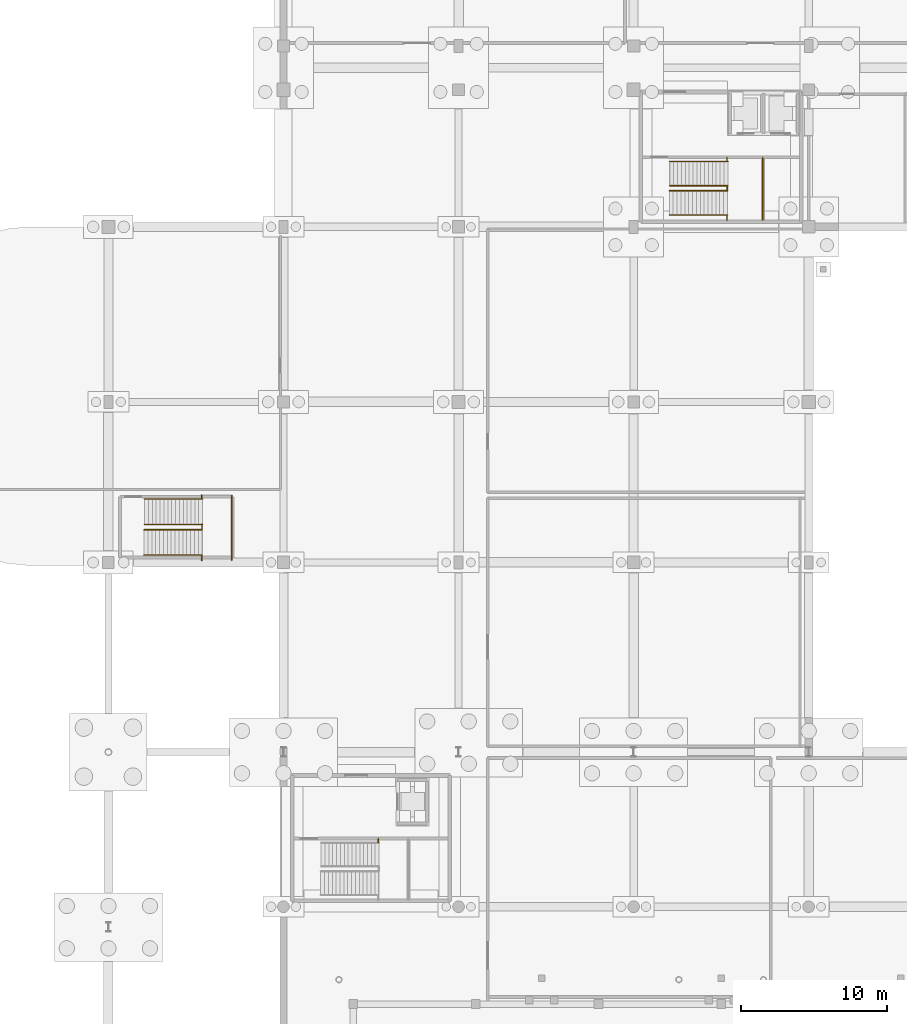
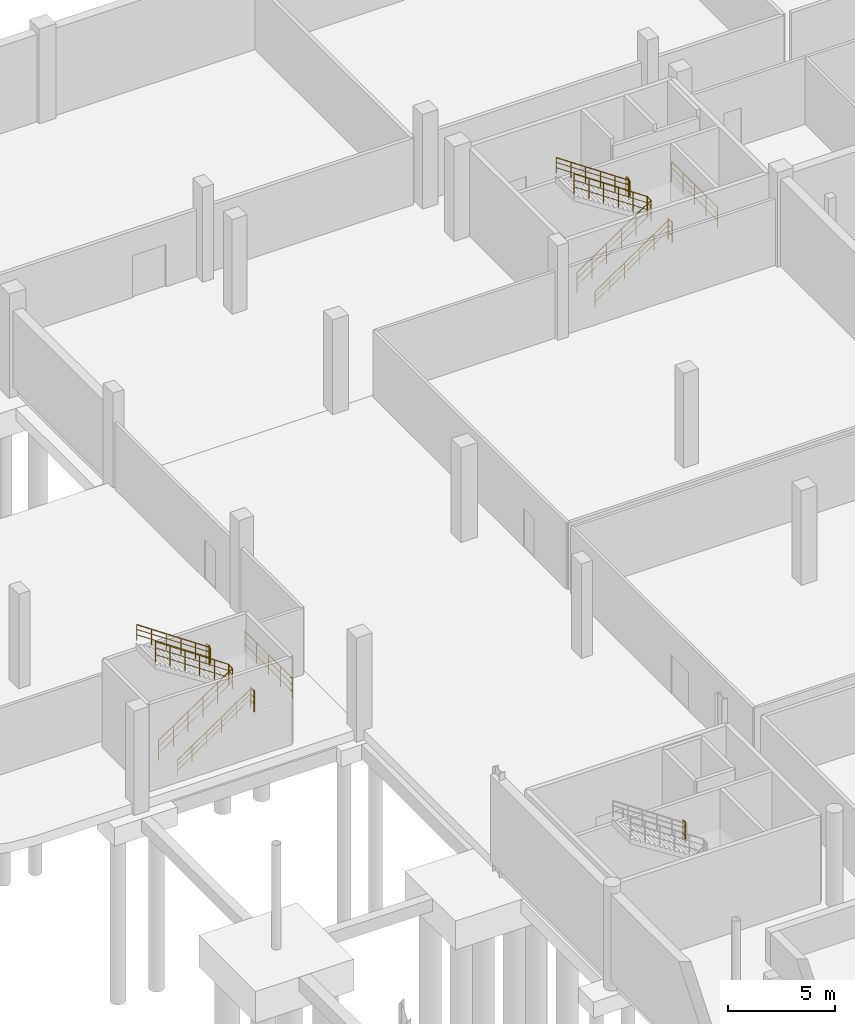
# One storey, part 38 of 42: 17 railings.
"""IFC4 building model written with IfcOpenShell, lengths in metres."""

from ifc_helpers import new_model, si_unit, direction, frame, origin, origin_2d, place, context, subcontext, project, spatial, circle, extrude, material, layer, layer_set, type_object, element, save


model = new_model("IFC4")

# Units and contexts
model_context = context("Model", 3, precision=1e-05, world=origin(), true_north=direction((0.0, 1.0)))
body_context = subcontext(model_context, "Body", "Model", "MODEL_VIEW")
ifc_project = project(units=[si_unit("LENGTHUNIT", "METRE"), si_unit("AREAUNIT", "SQUARE_METRE"), si_unit("VOLUMEUNIT", "CUBIC_METRE"), si_unit("PLANEANGLEUNIT", "RADIAN"), si_unit("MASSUNIT", "GRAM", prefix="KILO"), si_unit("THERMODYNAMICTEMPERATUREUNIT", "KELVIN"), si_unit("POWERUNIT", "WATT")], contexts=[model_context])

# Site, building, storey
site_placement = place(None, origin())
site = spatial("IfcSite", under=ifc_project, at=site_placement, CompositionType="ELEMENT")
building_placement = place(site_placement, origin())
building = spatial("IfcBuilding", under=site, at=building_placement, Name="Solmara Park Aquatics Centre", CompositionType="ELEMENT")
storey_placement = place(building_placement, frame((0.0, 0.0, -5.39990234375)))
storey = spatial("IfcBuildingStorey", under=building, at=storey_placement, Name="B1", CompositionType="ELEMENT", Elevation=-5.39990234375)

# Railings
ifc_material_1 = material(Name="Brushed Marine-Grade Stainless Steel 316L Handrail", Category="steel")
ifc_layer_1 = layer(ifc_material_1, 0.044921875, Name="Brushed Marine-Grade Stainless Steel 316L Handrail")
ifc_layer_set_1 = layer_set([ifc_layer_1], Name="Brushed Marine-Grade Stainless Steel 316L Handrail")
railing_type_1 = type_object("IfcRailingType", Name="ARC-RL-HND090", PredefinedType="HANDRAIL", material=ifc_layer_set_1)
railing_1_placement = place(storey_placement, frame((51.050048828125, 109.409912109375, 0.168701171875)))
element("IfcRailing", 1, at=railing_1_placement, inside=storey, type_object=railing_type_1, Name="ST-01 Protected Exit Stair (B1 to L00) Flight 1 Outer Handrail", PredefinedType="HANDRAIL", context=body_context, shape_type="SweptSolid", body=[
    extrude(circle(Radius=0.02392578125, at=origin_2d()), frame((0.0, 0.0, 0.89599609375), z_axis=(0.827211789872, 0.0, 0.56189025147), x_axis=(0.0, 1.0, 0.0)), (0.0, 0.0, 1.0), 4.80517578125),
    extrude(circle(Radius=0.01416015625, at=origin_2d()), frame((0.0, 0.0, 0.322021484375), z_axis=(0.827211789872, 0.0, 0.56189025147), x_axis=(0.0, 1.0, 0.0)), (0.0, 0.0, 1.0), 4.80517578125),
    extrude(circle(Radius=0.01416015625, at=origin_2d()), frame((0.0, 0.0, 0.62548828125), z_axis=(0.827211789872, 0.0, 0.56189025147), x_axis=(0.0, 1.0, 0.0)), (0.0, 0.0, 1.0), 4.80517578125),
    extrude(circle(Radius=0.02099609375, at=origin_2d()), origin(), (0.0, 0.0, 1.0), 0.871826171875),
    extrude(circle(Radius=0.02099609375, at=origin_2d()), frame((0.794921875, 0.0, 0.5400390625)), (0.0, 0.0, 1.0), 0.871826171875),
    extrude(circle(Radius=0.02099609375, at=origin_2d()), frame((1.58984375, 0.0, 1.080078125)), (0.0, 0.0, 1.0), 0.871826171875),
    extrude(circle(Radius=0.02099609375, at=origin_2d()), frame((2.385009765625, 0.0, 1.619873046875)), (0.0, 0.0, 1.0), 0.871826171875),
    extrude(circle(Radius=0.02099609375, at=origin_2d()), frame((3.179931640625, 0.0, 2.159912109375)), (0.0, 0.0, 1.0), 0.871826171875),
    extrude(circle(Radius=0.02099609375, at=origin_2d()), frame((3.974853515625, 0.0, 2.699951171875)), (0.0, 0.0, 1.0), 0.871826171875),
])
railing_2_placement = place(storey_placement, frame((55.054931640625, 113.090087890625, 2.86865234375)))
element("IfcRailing", 2, at=railing_2_placement, inside=storey, type_object=railing_type_1, Name="ST-01 Protected Exit Stair (B1 to L00) Flight 2 Outer Handrail", PredefinedType="HANDRAIL", context=body_context, shape_type="SweptSolid", body=[
    extrude(circle(Radius=0.02392578125, at=origin_2d()), frame((0.0, 0.0, 0.89599609375), z_axis=(-0.827211789872, 0.0, 0.56189025147), x_axis=(0.0, -1.0, 0.0)), (0.0, 0.0, 1.0), 4.80517578125),
    extrude(circle(Radius=0.01416015625, at=origin_2d()), frame((0.0, 0.0, 0.322021484375), z_axis=(-0.827211789872, 0.0, 0.56189025147), x_axis=(0.0, -1.0, 0.0)), (0.0, 0.0, 1.0), 4.80517578125),
    extrude(circle(Radius=0.01416015625, at=origin_2d()), frame((0.0, 0.0, 0.62548828125), z_axis=(-0.827211789872, 0.0, 0.56189025147), x_axis=(0.0, -1.0, 0.0)), (0.0, 0.0, 1.0), 4.80517578125),
    extrude(circle(Radius=0.02099609375, at=origin_2d()), origin(), (0.0, 0.0, 1.0), 0.871826171875),
    extrude(circle(Radius=0.02099609375, at=origin_2d()), frame((-0.794921875, 0.0, 0.5400390625)), (0.0, 0.0, 1.0), 0.871826171875),
    extrude(circle(Radius=0.02099609375, at=origin_2d()), frame((-1.58984375, 0.0, 1.080078125)), (0.0, 0.0, 1.0), 0.871826171875),
    extrude(circle(Radius=0.02099609375, at=origin_2d()), frame((-2.385009765625, 0.0, 1.619873046875)), (0.0, 0.0, 1.0), 0.871826171875),
    extrude(circle(Radius=0.02099609375, at=origin_2d()), frame((-3.179931640625, 0.0, 2.159912109375)), (0.0, 0.0, 1.0), 0.871826171875),
    extrude(circle(Radius=0.02099609375, at=origin_2d()), frame((-3.974853515625, 0.0, 2.699951171875)), (0.0, 0.0, 1.0), 0.871826171875),
])
railing_3_placement = place(storey_placement, frame((15.050048828125, 86.10009765625, 0.168701171875)))
element("IfcRailing", 3, at=railing_3_placement, inside=storey, type_object=railing_type_1, Name="West Changing Escape Stair ST-08 (B1-L00) Flight 1 Outer Handrail", PredefinedType="HANDRAIL", context=body_context, shape_type="SweptSolid", body=[
    extrude(circle(Radius=0.02392578125, at=origin_2d()), frame((0.0, 0.0, 0.89599609375), z_axis=(0.827211789872, 0.0, 0.56189025147), x_axis=(0.0, 1.0, 0.0)), (0.0, 0.0, 1.0), 4.80517578125),
    extrude(circle(Radius=0.01416015625, at=origin_2d()), frame((0.0, 0.0, 0.322021484375), z_axis=(0.827211789872, 0.0, 0.56189025147), x_axis=(0.0, 1.0, 0.0)), (0.0, 0.0, 1.0), 4.80517578125),
    extrude(circle(Radius=0.01416015625, at=origin_2d()), frame((0.0, 0.0, 0.62548828125), z_axis=(0.827211789872, 0.0, 0.56189025147), x_axis=(0.0, 1.0, 0.0)), (0.0, 0.0, 1.0), 4.80517578125),
    extrude(circle(Radius=0.02099609375, at=origin_2d()), origin(), (0.0, 0.0, 1.0), 0.871826171875),
    extrude(circle(Radius=0.02099609375, at=origin_2d()), frame((0.794921875, 0.0, 0.5400390625)), (0.0, 0.0, 1.0), 0.871826171875),
    extrude(circle(Radius=0.02099609375, at=origin_2d()), frame((1.58984375, 0.0, 1.080078125)), (0.0, 0.0, 1.0), 0.871826171875),
    extrude(circle(Radius=0.02099609375, at=origin_2d()), frame((2.385009765625, 0.0, 1.619873046875)), (0.0, 0.0, 1.0), 0.871826171875),
    extrude(circle(Radius=0.02099609375, at=origin_2d()), frame((3.179931640625, 0.0, 2.159912109375)), (0.0, 0.0, 1.0), 0.871826171875),
    extrude(circle(Radius=0.02099609375, at=origin_2d()), frame((3.974853515625, 0.0, 2.699951171875)), (0.0, 0.0, 1.0), 0.871826171875),
])
railing_4_placement = place(storey_placement, frame((19.054931640625, 89.93994140625, 2.86865234375)))
element("IfcRailing", 4, at=railing_4_placement, inside=storey, type_object=railing_type_1, Name="West Changing Escape Stair ST-08 (B1-L00) Flight 2 Outer Handrail", PredefinedType="HANDRAIL", context=body_context, shape_type="SweptSolid", body=[
    extrude(circle(Radius=0.02392578125, at=origin_2d()), frame((0.0, 0.0, 0.89599609375), z_axis=(-0.827211789872, 0.0, 0.56189025147), x_axis=(0.0, -1.0, 0.0)), (0.0, 0.0, 1.0), 4.80517578125),
    extrude(circle(Radius=0.01416015625, at=origin_2d()), frame((0.0, 0.0, 0.322021484375), z_axis=(-0.827211789872, 0.0, 0.56189025147), x_axis=(0.0, -1.0, 0.0)), (0.0, 0.0, 1.0), 4.80517578125),
    extrude(circle(Radius=0.01416015625, at=origin_2d()), frame((0.0, 0.0, 0.62548828125), z_axis=(-0.827211789872, 0.0, 0.56189025147), x_axis=(0.0, -1.0, 0.0)), (0.0, 0.0, 1.0), 4.80517578125),
    extrude(circle(Radius=0.02099609375, at=origin_2d()), origin(), (0.0, 0.0, 1.0), 0.871826171875),
    extrude(circle(Radius=0.02099609375, at=origin_2d()), frame((-0.794921875, 0.0, 0.5400390625)), (0.0, 0.0, 1.0), 0.871826171875),
    extrude(circle(Radius=0.02099609375, at=origin_2d()), frame((-1.58984375, 0.0, 1.080078125)), (0.0, 0.0, 1.0), 0.871826171875),
    extrude(circle(Radius=0.02099609375, at=origin_2d()), frame((-2.385009765625, 0.0, 1.619873046875)), (0.0, 0.0, 1.0), 0.871826171875),
    extrude(circle(Radius=0.02099609375, at=origin_2d()), frame((-3.179931640625, 0.0, 2.159912109375)), (0.0, 0.0, 1.0), 0.871826171875),
    extrude(circle(Radius=0.02099609375, at=origin_2d()), frame((-3.974853515625, 0.0, 2.699951171875)), (0.0, 0.0, 1.0), 0.871826171875),
])
ifc_material_2 = material(Name="Brushed Stainless Steel Guardrail", Category="steel")
ifc_layer_2 = layer(ifc_material_2, 0.050048828125, Name="Brushed Stainless Steel Guardrail")
ifc_layer_set_2 = layer_set([ifc_layer_2], Name="Brushed Stainless Steel Guardrail")
railing_type_2 = type_object("IfcRailingType", Name="ARC-RL-STR110", PredefinedType="GUARDRAIL", material=ifc_layer_set_2)
railing_5_placement = place(storey_placement, frame((51.050048828125, 111.080078125, 0.0)))
element("IfcRailing", 5, at=railing_5_placement, inside=storey, type_object=railing_type_2, Name="ST-01 Protected Exit Stair (B1 to L00) Flight 1 Inner Guardrail", PredefinedType="GUARDRAIL", context=body_context, shape_type="SweptSolid", body=[
    extrude(circle(Radius=0.02392578125, at=origin_2d()), frame((0.0, 0.0, 1.15576171875), z_axis=(0.827211789872, 0.0, 0.56189025147), x_axis=(0.0, 1.0, 0.0)), (0.0, 0.0, 1.0), 4.80517578125),
    extrude(circle(Radius=0.01416015625, at=origin_2d()), frame((0.0, 0.0, 0.4130859375), z_axis=(0.827211789872, 0.0, 0.56189025147), x_axis=(0.0, 1.0, 0.0)), (0.0, 0.0, 1.0), 4.80517578125),
    extrude(circle(Radius=0.01416015625, at=origin_2d()), frame((0.0, 0.0, 0.80224609375), z_axis=(0.827211789872, 0.0, 0.56189025147), x_axis=(0.0, 1.0, 0.0)), (0.0, 0.0, 1.0), 4.80517578125),
    extrude(circle(Radius=0.02099609375, at=origin_2d()), origin(), (0.0, 0.0, 1.0), 1.1318359375),
    extrude(circle(Radius=0.02099609375, at=origin_2d()), frame((0.794921875, 0.0, 0.5400390625)), (0.0, 0.0, 1.0), 1.1318359375),
    extrude(circle(Radius=0.02099609375, at=origin_2d()), frame((1.58984375, 0.0, 1.080078125)), (0.0, 0.0, 1.0), 1.1318359375),
    extrude(circle(Radius=0.02099609375, at=origin_2d()), frame((2.385009765625, 0.0, 1.619873046875)), (0.0, 0.0, 1.0), 1.1318359375),
    extrude(circle(Radius=0.02099609375, at=origin_2d()), frame((3.179931640625, 0.0, 2.159912109375)), (0.0, 0.0, 1.0), 1.1318359375),
    extrude(circle(Radius=0.02099609375, at=origin_2d()), frame((3.974853515625, 0.0, 2.699951171875)), (0.0, 0.0, 1.0), 1.1318359375),
])
railing_6_placement = place(storey_placement, frame((55.054931640625, 111.419921875, 2.699951171875)))
element("IfcRailing", 6, at=railing_6_placement, inside=storey, type_object=railing_type_2, Name="ST-01 Protected Exit Stair (B1 to L00) Flight 2 Inner Guardrail", PredefinedType="GUARDRAIL", context=body_context, shape_type="SweptSolid", body=[
    extrude(circle(Radius=0.02392578125, at=origin_2d()), frame((0.0, 0.0, 1.15576171875), z_axis=(-0.827211789872, 0.0, 0.56189025147), x_axis=(0.0, -1.0, 0.0)), (0.0, 0.0, 1.0), 4.80517578125),
    extrude(circle(Radius=0.01416015625, at=origin_2d()), frame((0.0, 0.0, 0.4130859375), z_axis=(-0.827211789872, 0.0, 0.56189025147), x_axis=(0.0, -1.0, 0.0)), (0.0, 0.0, 1.0), 4.80517578125),
    extrude(circle(Radius=0.01416015625, at=origin_2d()), frame((0.0, 0.0, 0.80224609375), z_axis=(-0.827211789872, 0.0, 0.56189025147), x_axis=(0.0, -1.0, 0.0)), (0.0, 0.0, 1.0), 4.80517578125),
    extrude(circle(Radius=0.02099609375, at=origin_2d()), origin(), (0.0, 0.0, 1.0), 1.1318359375),
    extrude(circle(Radius=0.02099609375, at=origin_2d()), frame((-0.794921875, 0.0, 0.5400390625)), (0.0, 0.0, 1.0), 1.1318359375),
    extrude(circle(Radius=0.02099609375, at=origin_2d()), frame((-1.58984375, 0.0, 1.080078125)), (0.0, 0.0, 1.0), 1.1318359375),
    extrude(circle(Radius=0.02099609375, at=origin_2d()), frame((-2.385009765625, 0.0, 1.619873046875)), (0.0, 0.0, 1.0), 1.1318359375),
    extrude(circle(Radius=0.02099609375, at=origin_2d()), frame((-3.179931640625, 0.0, 2.159912109375)), (0.0, 0.0, 1.0), 1.1318359375),
    extrude(circle(Radius=0.02099609375, at=origin_2d()), frame((-3.974853515625, 0.0, 2.699951171875)), (0.0, 0.0, 1.0), 1.1318359375),
])
railing_7_placement = place(storey_placement, frame((55.02490234375, 111.06005859375, 2.699951171875)))
element("IfcRailing", 7, at=railing_7_placement, inside=storey, type_object=railing_type_2, Name="ST-01 Protected Exit Stair (B1 to L00) Half-Landing Well Guardrail", PredefinedType="GUARDRAIL", context=body_context, shape_type="SweptSolid", body=[
    extrude(circle(Radius=0.02392578125, at=origin_2d()), frame((0.0, 0.0, 1.15576171875), z_axis=(0.0, 1.0, 0.0), x_axis=(-1.0, 0.0, 0.0)), (0.0, 0.0, 1.0), 0.3798828125),
    extrude(circle(Radius=0.01416015625, at=origin_2d()), frame((0.0, 0.0, 0.4130859375), z_axis=(0.0, 1.0, 0.0), x_axis=(-1.0, 0.0, 0.0)), (0.0, 0.0, 1.0), 0.3798828125),
    extrude(circle(Radius=0.01416015625, at=origin_2d()), frame((0.0, 0.0, 0.80224609375), z_axis=(0.0, 1.0, 0.0), x_axis=(-1.0, 0.0, 0.0)), (0.0, 0.0, 1.0), 0.3798828125),
    extrude(circle(Radius=0.02099609375, at=origin_2d()), origin(), (0.0, 0.0, 1.0), 1.1318359375),
    extrude(circle(Radius=0.02099609375, at=origin_2d()), frame((0.0, 0.3798828125, 0.0)), (0.0, 0.0, 1.0), 1.1318359375),
])
railing_8_placement = place(storey_placement, frame((54.9951171875, 109.0400390625, 2.699951171875)))
element("IfcRailing", 8, at=railing_8_placement, inside=storey, type_object=railing_type_2, Name="ST-01 Protected Exit Stair (B1 to L00) Half-Landing South Slot Guardrail", PredefinedType="GUARDRAIL", context=body_context, shape_type="SweptSolid", body=[
    extrude(circle(Radius=0.02392578125, at=origin_2d()), frame((0.0, 0.0, 1.15576171875), z_axis=(0.0, 1.0, 0.0), x_axis=(-1.0, 0.0, 0.0)), (0.0, 0.0, 1.0), 0.35986328125),
    extrude(circle(Radius=0.01416015625, at=origin_2d()), frame((0.0, 0.0, 0.4130859375), z_axis=(0.0, 1.0, 0.0), x_axis=(-1.0, 0.0, 0.0)), (0.0, 0.0, 1.0), 0.35986328125),
    extrude(circle(Radius=0.01416015625, at=origin_2d()), frame((0.0, 0.0, 0.80224609375), z_axis=(0.0, 1.0, 0.0), x_axis=(-1.0, 0.0, 0.0)), (0.0, 0.0, 1.0), 0.35986328125),
    extrude(circle(Radius=0.02099609375, at=origin_2d()), origin(), (0.0, 0.0, 1.0), 1.1318359375),
    extrude(circle(Radius=0.02099609375, at=origin_2d()), frame((0.0, 0.35986328125, 0.0)), (0.0, 0.0, 1.0), 1.1318359375),
])
railing_9_placement = place(storey_placement, frame((54.9951171875, 113.10009765625, 2.699951171875)))
element("IfcRailing", 9, at=railing_9_placement, inside=storey, type_object=railing_type_2, Name="ST-01 Protected Exit Stair (B1 to L00) Half-Landing North Slot Guardrail", PredefinedType="GUARDRAIL", context=body_context, shape_type="SweptSolid", body=[
    extrude(circle(Radius=0.02392578125, at=origin_2d()), frame((0.0, 0.0, 1.15576171875), z_axis=(0.0, 1.0, 0.0), x_axis=(-1.0, 0.0, 0.0)), (0.0, 0.0, 1.0), 0.260009765625),
    extrude(circle(Radius=0.01416015625, at=origin_2d()), frame((0.0, 0.0, 0.4130859375), z_axis=(0.0, 1.0, 0.0), x_axis=(-1.0, 0.0, 0.0)), (0.0, 0.0, 1.0), 0.260009765625),
    extrude(circle(Radius=0.01416015625, at=origin_2d()), frame((0.0, 0.0, 0.80224609375), z_axis=(0.0, 1.0, 0.0), x_axis=(-1.0, 0.0, 0.0)), (0.0, 0.0, 1.0), 0.260009765625),
    extrude(circle(Radius=0.02099609375, at=origin_2d()), origin(), (0.0, 0.0, 1.0), 1.1318359375),
    extrude(circle(Radius=0.02099609375, at=origin_2d()), frame((0.0, 0.260009765625, 0.0)), (0.0, 0.0, 1.0), 1.1318359375),
])
railing_10_placement = place(storey_placement, frame((57.449951171875, 109.06005859375, 2.699951171875)))
element("IfcRailing", 10, at=railing_10_placement, inside=storey, type_object=railing_type_2, Name="ST-01 Protected Exit Stair (B1 to L00) Half-Landing Outer Guardrail", PredefinedType="GUARDRAIL", context=body_context, shape_type="SweptSolid", body=[
    extrude(circle(Radius=0.02392578125, at=origin_2d()), frame((0.0, 0.0, 1.15576171875), z_axis=(0.0, 1.0, 0.0), x_axis=(-1.0, 0.0, 0.0)), (0.0, 0.0, 1.0), 4.280029296875),
    extrude(circle(Radius=0.01416015625, at=origin_2d()), frame((0.0, 0.0, 0.4130859375), z_axis=(0.0, 1.0, 0.0), x_axis=(-1.0, 0.0, 0.0)), (0.0, 0.0, 1.0), 4.280029296875),
    extrude(circle(Radius=0.01416015625, at=origin_2d()), frame((0.0, 0.0, 0.80224609375), z_axis=(0.0, 1.0, 0.0), x_axis=(-1.0, 0.0, 0.0)), (0.0, 0.0, 1.0), 4.280029296875),
    extrude(circle(Radius=0.02099609375, at=origin_2d()), origin(), (0.0, 0.0, 1.0), 1.1318359375),
    extrude(circle(Radius=0.02099609375, at=origin_2d()), frame((0.0, 1.070068359375, 0.0)), (0.0, 0.0, 1.0), 1.1318359375),
    extrude(circle(Radius=0.02099609375, at=origin_2d()), frame((0.0, 2.14013671875, 0.0)), (0.0, 0.0, 1.0), 1.1318359375),
    extrude(circle(Radius=0.02099609375, at=origin_2d()), frame((0.0, 3.2099609375, 0.0)), (0.0, 0.0, 1.0), 1.1318359375),
    extrude(circle(Radius=0.02099609375, at=origin_2d()), frame((0.0, 4.280029296875, 0.0)), (0.0, 0.0, 1.0), 1.1318359375),
])
railing_11_placement = place(storey_placement, frame((31.094970703125, 66.39990234375, 2.699951171875)))
element("IfcRailing", 11, at=railing_11_placement, inside=storey, type_object=railing_type_2, Name="ST-04 Protected Exit Stair (B1 to L00) Half-Landing North Slot Guardrail", PredefinedType="GUARDRAIL", context=body_context, shape_type="SweptSolid", body=[
    extrude(circle(Radius=0.02392578125, at=origin_2d()), frame((0.0, 0.0, 1.15576171875), z_axis=(0.0, 1.0, 0.0), x_axis=(-1.0, 0.0, 0.0)), (0.0, 0.0, 1.0), 0.260009765625),
    extrude(circle(Radius=0.01416015625, at=origin_2d()), frame((0.0, 0.0, 0.4130859375), z_axis=(0.0, 1.0, 0.0), x_axis=(-1.0, 0.0, 0.0)), (0.0, 0.0, 1.0), 0.260009765625),
    extrude(circle(Radius=0.01416015625, at=origin_2d()), frame((0.0, 0.0, 0.80224609375), z_axis=(0.0, 1.0, 0.0), x_axis=(-1.0, 0.0, 0.0)), (0.0, 0.0, 1.0), 0.260009765625),
    extrude(circle(Radius=0.02099609375, at=origin_2d()), origin(), (0.0, 0.0, 1.0), 1.1318359375),
    extrude(circle(Radius=0.02099609375, at=origin_2d()), frame((0.0, 0.260009765625, 0.0)), (0.0, 0.0, 1.0), 1.1318359375),
])
railing_12_placement = place(storey_placement, frame((15.050048828125, 87.840087890625, 0.0)))
element("IfcRailing", 12, at=railing_12_placement, inside=storey, type_object=railing_type_2, Name="West Changing Escape Stair ST-08 (B1-L00) Flight 1 Inner Guardrail", PredefinedType="GUARDRAIL", context=body_context, shape_type="SweptSolid", body=[
    extrude(circle(Radius=0.02392578125, at=origin_2d()), frame((0.0, 0.0, 1.15576171875), z_axis=(0.827211789872, 0.0, 0.56189025147), x_axis=(0.0, 1.0, 0.0)), (0.0, 0.0, 1.0), 4.80517578125),
    extrude(circle(Radius=0.01416015625, at=origin_2d()), frame((0.0, 0.0, 0.4130859375), z_axis=(0.827211789872, 0.0, 0.56189025147), x_axis=(0.0, 1.0, 0.0)), (0.0, 0.0, 1.0), 4.80517578125),
    extrude(circle(Radius=0.01416015625, at=origin_2d()), frame((0.0, 0.0, 0.80224609375), z_axis=(0.827211789872, 0.0, 0.56189025147), x_axis=(0.0, 1.0, 0.0)), (0.0, 0.0, 1.0), 4.80517578125),
    extrude(circle(Radius=0.02099609375, at=origin_2d()), origin(), (0.0, 0.0, 1.0), 1.1318359375),
    extrude(circle(Radius=0.02099609375, at=origin_2d()), frame((0.794921875, 0.0, 0.5400390625)), (0.0, 0.0, 1.0), 1.1318359375),
    extrude(circle(Radius=0.02099609375, at=origin_2d()), frame((1.58984375, 0.0, 1.080078125)), (0.0, 0.0, 1.0), 1.1318359375),
    extrude(circle(Radius=0.02099609375, at=origin_2d()), frame((2.385009765625, 0.0, 1.619873046875)), (0.0, 0.0, 1.0), 1.1318359375),
    extrude(circle(Radius=0.02099609375, at=origin_2d()), frame((3.179931640625, 0.0, 2.159912109375)), (0.0, 0.0, 1.0), 1.1318359375),
    extrude(circle(Radius=0.02099609375, at=origin_2d()), frame((3.974853515625, 0.0, 2.699951171875)), (0.0, 0.0, 1.0), 1.1318359375),
])
railing_13_placement = place(storey_placement, frame((19.054931640625, 88.199951171875, 2.699951171875)))
element("IfcRailing", 13, at=railing_13_placement, inside=storey, type_object=railing_type_2, Name="West Changing Escape Stair ST-08 (B1-L00) Flight 2 Inner Guardrail", PredefinedType="GUARDRAIL", context=body_context, shape_type="SweptSolid", body=[
    extrude(circle(Radius=0.02392578125, at=origin_2d()), frame((0.0, 0.0, 1.15576171875), z_axis=(-0.827211789872, 0.0, 0.56189025147), x_axis=(0.0, -1.0, 0.0)), (0.0, 0.0, 1.0), 4.80517578125),
    extrude(circle(Radius=0.01416015625, at=origin_2d()), frame((0.0, 0.0, 0.4130859375), z_axis=(-0.827211789872, 0.0, 0.56189025147), x_axis=(0.0, -1.0, 0.0)), (0.0, 0.0, 1.0), 4.80517578125),
    extrude(circle(Radius=0.01416015625, at=origin_2d()), frame((0.0, 0.0, 0.80224609375), z_axis=(-0.827211789872, 0.0, 0.56189025147), x_axis=(0.0, -1.0, 0.0)), (0.0, 0.0, 1.0), 4.80517578125),
    extrude(circle(Radius=0.02099609375, at=origin_2d()), origin(), (0.0, 0.0, 1.0), 1.1318359375),
    extrude(circle(Radius=0.02099609375, at=origin_2d()), frame((-0.794921875, 0.0, 0.5400390625)), (0.0, 0.0, 1.0), 1.1318359375),
    extrude(circle(Radius=0.02099609375, at=origin_2d()), frame((-1.58984375, 0.0, 1.080078125)), (0.0, 0.0, 1.0), 1.1318359375),
    extrude(circle(Radius=0.02099609375, at=origin_2d()), frame((-2.385009765625, 0.0, 1.619873046875)), (0.0, 0.0, 1.0), 1.1318359375),
    extrude(circle(Radius=0.02099609375, at=origin_2d()), frame((-3.179931640625, 0.0, 2.159912109375)), (0.0, 0.0, 1.0), 1.1318359375),
    extrude(circle(Radius=0.02099609375, at=origin_2d()), frame((-3.974853515625, 0.0, 2.699951171875)), (0.0, 0.0, 1.0), 1.1318359375),
])
railing_14_placement = place(storey_placement, frame((19.02490234375, 87.820068359375, 2.699951171875)))
element("IfcRailing", 14, at=railing_14_placement, inside=storey, type_object=railing_type_2, Name="West Changing Escape Stair ST-08 (B1-L00) Half-Landing Well Guardrail", PredefinedType="GUARDRAIL", context=body_context, shape_type="SweptSolid", body=[
    extrude(circle(Radius=0.02392578125, at=origin_2d()), frame((0.0, 0.0, 1.15576171875), z_axis=(0.0, 1.0, 0.0), x_axis=(-1.0, 0.0, 0.0)), (0.0, 0.0, 1.0), 0.39990234375),
    extrude(circle(Radius=0.01416015625, at=origin_2d()), frame((0.0, 0.0, 0.4130859375), z_axis=(0.0, 1.0, 0.0), x_axis=(-1.0, 0.0, 0.0)), (0.0, 0.0, 1.0), 0.39990234375),
    extrude(circle(Radius=0.01416015625, at=origin_2d()), frame((0.0, 0.0, 0.80224609375), z_axis=(0.0, 1.0, 0.0), x_axis=(-1.0, 0.0, 0.0)), (0.0, 0.0, 1.0), 0.39990234375),
    extrude(circle(Radius=0.02099609375, at=origin_2d()), origin(), (0.0, 0.0, 1.0), 1.1318359375),
    extrude(circle(Radius=0.02099609375, at=origin_2d()), frame((0.0, 0.39990234375, 0.0)), (0.0, 0.0, 1.0), 1.1318359375),
])
railing_15_placement = place(storey_placement, frame((18.9951171875, 85.72998046875, 2.699951171875)))
element("IfcRailing", 15, at=railing_15_placement, inside=storey, type_object=railing_type_2, Name="West Changing Escape Stair ST-08 (B1-L00) Half-Landing South Slot Guardrail", PredefinedType="GUARDRAIL", context=body_context, shape_type="SweptSolid", body=[
    extrude(circle(Radius=0.02392578125, at=origin_2d()), frame((0.0, 0.0, 1.15576171875), z_axis=(0.0, 1.0, 0.0), x_axis=(-1.0, 0.0, 0.0)), (0.0, 0.0, 1.0), 0.360107421875),
    extrude(circle(Radius=0.01416015625, at=origin_2d()), frame((0.0, 0.0, 0.4130859375), z_axis=(0.0, 1.0, 0.0), x_axis=(-1.0, 0.0, 0.0)), (0.0, 0.0, 1.0), 0.360107421875),
    extrude(circle(Radius=0.01416015625, at=origin_2d()), frame((0.0, 0.0, 0.80224609375), z_axis=(0.0, 1.0, 0.0), x_axis=(-1.0, 0.0, 0.0)), (0.0, 0.0, 1.0), 0.360107421875),
    extrude(circle(Radius=0.02099609375, at=origin_2d()), origin(), (0.0, 0.0, 1.0), 1.1318359375),
    extrude(circle(Radius=0.02099609375, at=origin_2d()), frame((0.0, 0.360107421875, 0.0)), (0.0, 0.0, 1.0), 1.1318359375),
])
railing_16_placement = place(storey_placement, frame((18.9951171875, 89.949951171875, 2.699951171875)))
element("IfcRailing", 16, at=railing_16_placement, inside=storey, type_object=railing_type_2, Name="West Changing Escape Stair ST-08 (B1-L00) Half-Landing North Slot Guardrail", PredefinedType="GUARDRAIL", context=body_context, shape_type="SweptSolid", body=[
    extrude(circle(Radius=0.02392578125, at=origin_2d()), frame((0.0, 0.0, 1.15576171875), z_axis=(0.0, 1.0, 0.0), x_axis=(-1.0, 0.0, 0.0)), (0.0, 0.0, 1.0), 0.260009765625),
    extrude(circle(Radius=0.01416015625, at=origin_2d()), frame((0.0, 0.0, 0.4130859375), z_axis=(0.0, 1.0, 0.0), x_axis=(-1.0, 0.0, 0.0)), (0.0, 0.0, 1.0), 0.260009765625),
    extrude(circle(Radius=0.01416015625, at=origin_2d()), frame((0.0, 0.0, 0.80224609375), z_axis=(0.0, 1.0, 0.0), x_axis=(-1.0, 0.0, 0.0)), (0.0, 0.0, 1.0), 0.260009765625),
    extrude(circle(Radius=0.02099609375, at=origin_2d()), origin(), (0.0, 0.0, 1.0), 1.1318359375),
    extrude(circle(Radius=0.02099609375, at=origin_2d()), frame((0.0, 0.260009765625, 0.0)), (0.0, 0.0, 1.0), 1.1318359375),
])
railing_17_placement = place(storey_placement, frame((21.050048828125, 85.75, 2.699951171875)))
element("IfcRailing", 17, at=railing_17_placement, inside=storey, type_object=railing_type_2, Name="West Changing Escape Stair ST-08 (B1-L00) Half-Landing Outer Guardrail", PredefinedType="GUARDRAIL", context=body_context, shape_type="SweptSolid", body=[
    extrude(circle(Radius=0.02392578125, at=origin_2d()), frame((0.0, 0.0, 1.15576171875), z_axis=(0.0, 1.0, 0.0), x_axis=(-1.0, 0.0, 0.0)), (0.0, 0.0, 1.0), 4.43994140625),
    extrude(circle(Radius=0.01416015625, at=origin_2d()), frame((0.0, 0.0, 0.4130859375), z_axis=(0.0, 1.0, 0.0), x_axis=(-1.0, 0.0, 0.0)), (0.0, 0.0, 1.0), 4.43994140625),
    extrude(circle(Radius=0.01416015625, at=origin_2d()), frame((0.0, 0.0, 0.80224609375), z_axis=(0.0, 1.0, 0.0), x_axis=(-1.0, 0.0, 0.0)), (0.0, 0.0, 1.0), 4.43994140625),
    extrude(circle(Radius=0.02099609375, at=origin_2d()), origin(), (0.0, 0.0, 1.0), 1.1318359375),
    extrude(circle(Radius=0.02099609375, at=origin_2d()), frame((0.0, 1.10986328125, 0.0)), (0.0, 0.0, 1.0), 1.1318359375),
    extrude(circle(Radius=0.02099609375, at=origin_2d()), frame((0.0, 2.219970703125, 0.0)), (0.0, 0.0, 1.0), 1.1318359375),
    extrude(circle(Radius=0.02099609375, at=origin_2d()), frame((0.0, 3.330078125, 0.0)), (0.0, 0.0, 1.0), 1.1318359375),
    extrude(circle(Radius=0.02099609375, at=origin_2d()), frame((0.0, 4.43994140625, 0.0)), (0.0, 0.0, 1.0), 1.1318359375),
])

save(model, "model.ifc")
